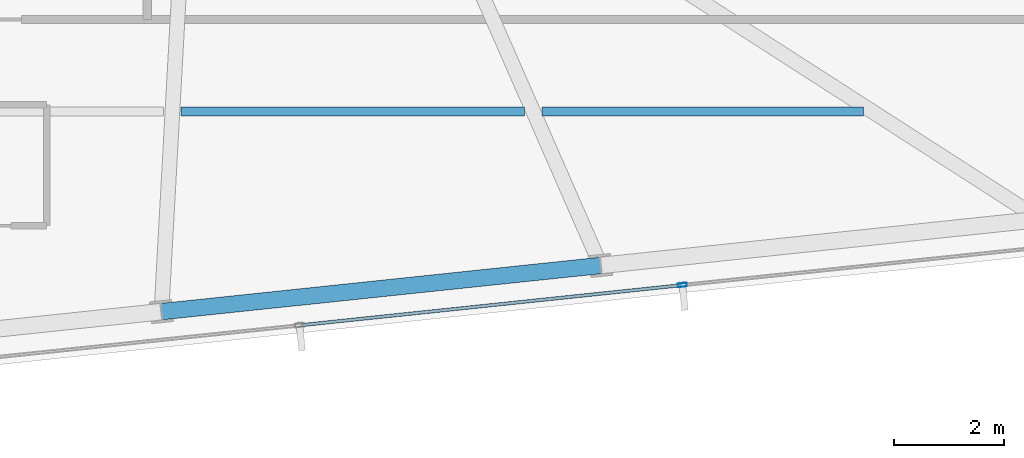
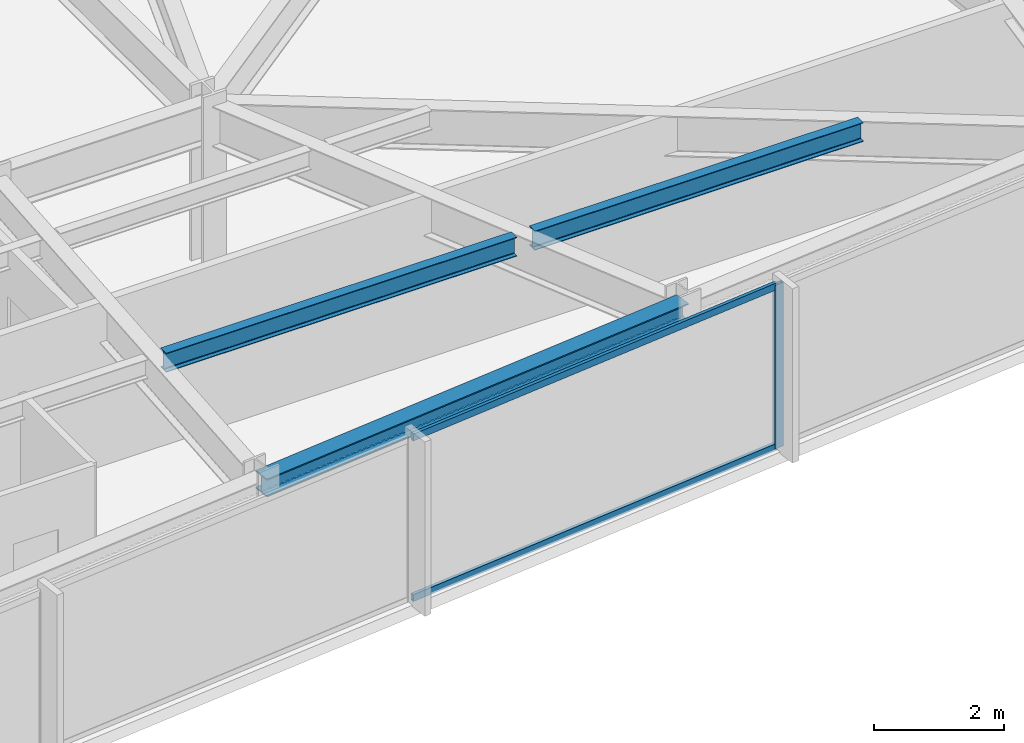
# One storey, part 15 of 33: 3 beams, 3 members, 1 element without a shape of its own.
"""IFC4 building model written with IfcOpenShell, lengths in metres."""

from ifc_helpers import new_model, si_unit, direction, frame, origin, origin_2d, place, context, subcontext, project, spatial, hollow_rectangle, i_section, extrude, material, material_profile, profile_set, type_object, element, aggregate, save


model = new_model("IFC4")

# Units and contexts
model_context = context("Model", 3, precision=1e-05, world=origin(), true_north=direction((0.0, 1.0)))
body_context = subcontext(model_context, "Body", "Model", "MODEL_VIEW")
ifc_project = project(units=[si_unit("LENGTHUNIT", "METRE"), si_unit("AREAUNIT", "SQUARE_METRE"), si_unit("VOLUMEUNIT", "CUBIC_METRE"), si_unit("PLANEANGLEUNIT", "RADIAN"), si_unit("MASSUNIT", "GRAM", prefix="KILO")], contexts=[model_context])

# Site, building, storey
site_placement = place(None, origin())
site = spatial("IfcSite", under=ifc_project, at=site_placement, CompositionType="ELEMENT")
building_placement = place(site_placement, origin())
building = spatial("IfcBuilding", under=site, at=building_placement, Name="Yelkora Congress Tower", CompositionType="ELEMENT")
storey_placement = place(building_placement, frame((0.0, 0.0, 227.60009765625)))
storey = spatial("IfcBuildingStorey", under=building, at=storey_placement, Name="L63", CompositionType="ELEMENT", Elevation=227.60009765625)

# Beams
ifc_material_1 = material(Name="Steel S355J2", Category="steel")
ifc_material_profile_1 = material_profile(ifc_material_1, i_section(OverallWidth=0.169921875, OverallDepth=0.360107421875, WebThickness=0.008056640625, FlangeThickness=0.0126953125, FilletRadius=0.01806640625, at=origin_2d()), Name="IPE 360")
ifc_profile_set_1 = profile_set([ifc_material_profile_1], Name="Steel S355J2")
beam_type_1 = type_object("IfcBeamType", Name="BM-JOIST-IPE360", PredefinedType="JOIST", material=ifc_profile_set_1)
beam_1_placement = place(storey_placement, frame((53.616455078125, 19.678466796875, 2.89990234375), z_axis=(1.0, 0.0, 0.0), x_axis=(0.0, 1.0, 0.0)))
element("IfcBeam", 1, at=beam_1_placement, inside=storey, type_object=beam_type_1, Name="L63 Composite Floor Joist 7", PredefinedType="JOIST", context=body_context, shape_type="SweptSolid", body=[
    extrude(i_section(OverallWidth=0.169921875, OverallDepth=0.360107421875, WebThickness=0.008056640625, FlangeThickness=0.0126953125, FilletRadius=0.01806640625, at=origin_2d()), origin(), (0.0, 0.0, 1.0), 6.2421875),
])
beam_2_placement = place(storey_placement, frame((60.1787109375, 19.678466796875, 2.89990234375), z_axis=(1.0, 0.0, 0.0), x_axis=(0.0, 1.0, 0.0)))
element("IfcBeam", 2, at=beam_2_placement, inside=storey, type_object=beam_type_1, Name="L63 Composite Floor Joist 8", PredefinedType="JOIST", context=body_context, shape_type="SweptSolid", body=[
    extrude(i_section(OverallWidth=0.169921875, OverallDepth=0.360107421875, WebThickness=0.008056640625, FlangeThickness=0.0126953125, FilletRadius=0.01806640625, at=origin_2d()), origin(), (0.0, 0.0, 1.0), 5.84619140625),
])
ifc_material_profile_2 = material_profile(ifc_material_1, i_section(OverallWidth=0.300048828125, OverallDepth=0.340087890625, WebThickness=0.011962890625, FlangeThickness=0.021484375, FilletRadius=0.027099609375, at=origin_2d()), Name="HEB 340")
ifc_profile_set_2 = profile_set([ifc_material_profile_2], Name="Steel S355J2")
beam_type_2 = type_object("IfcBeamType", Name="BM-SPAN-HEB340", PredefinedType="SPANDREL", material=ifc_profile_set_2)
beam_3_placement = place(storey_placement, frame((53.25634765625, 16.037353515625, 2.909912109375), z_axis=(0.994520097542, 0.104545567032, 0.0), x_axis=(-0.104545567032, 0.994520097542, 0.0)))
element("IfcBeam", 3, at=beam_3_placement, inside=storey, type_object=beam_type_2, Name="L63 Perimeter Beam 7", PredefinedType="SPANDREL", context=body_context, shape_type="SweptSolid", body=[
    extrude(i_section(OverallWidth=0.300048828125, OverallDepth=0.340087890625, WebThickness=0.011962890625, FlangeThickness=0.021484375, FilletRadius=0.027099609375, at=origin_2d()), origin(), (0.0, 0.0, 1.0), 8.033203125),
])

# Curtain wall, members
ifc_material_2 = material(Name="Anodised aluminium and insulated glass", Category="aluminium")
curtain_wall_type = type_object("IfcCurtainWallType", Name="CW-SYS-B4", PredefinedType="NOTDEFINED", material=ifc_material_2)
curtain_wall_placement = place(storey_placement, origin())
curtain_wall = element("IfcCurtainWall", 4, at=curtain_wall_placement, inside=storey, type_object=curtain_wall_type, Name="L63 Unitised Curtain Wall 20", PredefinedType="NOTDEFINED")
ifc_material_3 = material(Name="Anodised aluminium 6063-T6", Category="aluminium")
ifc_material_profile_3 = material_profile(ifc_material_3, hollow_rectangle(XDim=0.06494140625, YDim=0.159912109375, WallThickness=0.00390625, at=origin_2d()), Name="ALU 65x160x4")
ifc_profile_set_3 = profile_set([ifc_material_profile_3], Name="Anodised aluminium 6063-T6")
member_type_1 = type_object("IfcMemberType", Name="MEM-ML-B4", PredefinedType="MULLION", material=ifc_profile_set_3)
member_1_placement = place(storey_placement, frame((62.731689453125, 16.5205078125, 0.0), z_axis=(0.0, 0.0, 1.0), x_axis=(0.104526664994, -0.994522084373, 0.0)))
member_1 = element("IfcMember", 5, at=member_1_placement, type_object=member_type_1, Name="CW-B4 mullion 2", PredefinedType="MULLION", context=body_context, shape_type="SweptSolid", body=[
    extrude(hollow_rectangle(XDim=0.06494140625, YDim=0.159912109375, WallThickness=0.00390625, at=origin_2d()), origin(), (0.0, 0.0, 1.0), 3.079833984375),
])
ifc_material_profile_4 = material_profile(ifc_material_3, hollow_rectangle(XDim=0.06005859375, YDim=0.1298828125, WallThickness=0.00390625, at=origin_2d()), Name="ALU 60x130x4")
ifc_profile_set_4 = profile_set([ifc_material_profile_4], Name="Anodised aluminium 6063-T6")
member_type_2 = type_object("IfcMemberType", Name="MEM-TR-B4", PredefinedType="USERDEFINED", material=ifc_profile_set_4)
member_2_placement = place(storey_placement, frame((62.69921875, 16.51708984375, 0.02978515625), z_axis=(-0.994519904787, -0.104547400648, 0.0), x_axis=(0.104547400648, -0.994519904787, 0.0)))
member_2 = element("IfcMember", 6, at=member_2_placement, type_object=member_type_2, Name="CW-B4 transom 2.1", ObjectType="TRANSOM", PredefinedType="USERDEFINED", context=body_context, shape_type="SweptSolid", body=[
    extrude(hollow_rectangle(XDim=0.06005859375, YDim=0.1298828125, WallThickness=0.00390625, at=origin_2d()), origin(), (0.0, 0.0, 1.0), 6.93798828125),
])
member_3_placement = place(storey_placement, frame((62.69921875, 16.51708984375, 3.0498046875), z_axis=(-0.994519904787, -0.104547400648, 0.0), x_axis=(0.104547400648, -0.994519904787, 0.0)))
member_3 = element("IfcMember", 7, at=member_3_placement, type_object=member_type_2, Name="CW-B4 transom 2.2", ObjectType="TRANSOM", PredefinedType="USERDEFINED", context=body_context, shape_type="SweptSolid", body=[
    extrude(hollow_rectangle(XDim=0.06005859375, YDim=0.1298828125, WallThickness=0.00390625, at=origin_2d()), origin(), (0.0, 0.0, 1.0), 6.93798828125),
])
aggregate(curtain_wall, [member_1, member_2, member_3])

save(model, "model.ifc")
